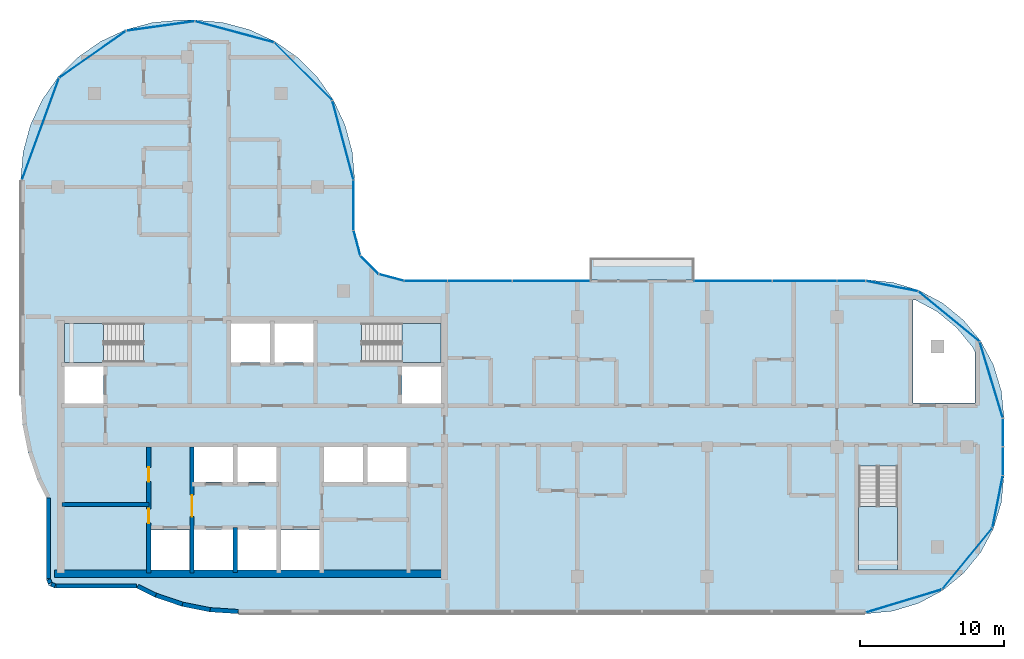
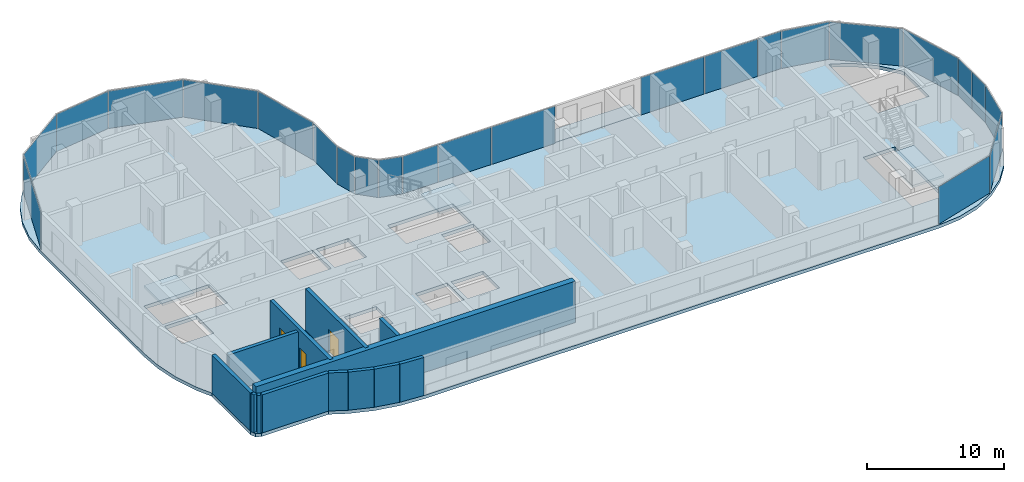
# One storey, part 8 of 18: 24 plates, 13 walls, 5 slabs, 3 doors, 3 openings, 11 elements without a shape of their own.
"""IFC4 building model written with IfcOpenShell, lengths in metres."""

import ifcopenshell
import ifcopenshell.guid

model = None  # the IFC model being written
_history = None  # IfcOwnerHistory: only IFC2X3 demands one
_inside = {}  # id of a spatial element -> (the spatial element, [elements in it])
_under = {}  # id of a project, library or spatial element -> (it, [spatial elements below it])
_declared = {}  # id of a project -> (the project, [libraries it declares])
_typed = {}  # id of a type object -> (the type object, [elements of that type])
_made_of = {}  # id of a material, layer set ... -> (it, [elements and type objects made of it])


def new_model(schema):
    """Start an empty IFC model of exactly this schema.

    Asked for "IFC4X3", IfcOpenShell would pick the latest addendum, in which some entities
    have other attributes; the version numbers below select the first issue.
    IFC2X3 requires an IfcOwnerHistory on every rooted entity: one is made here for all.
    """
    global model, _history
    if schema == "IFC4X3":
        model = ifcopenshell.file(schema_version=(4, 3, 0, 0))
    else:
        model = ifcopenshell.file(schema=schema)
    _inside.clear()
    _under.clear()
    _declared.clear()
    _typed.clear()
    _made_of.clear()
    _history = None
    if model.schema == "IFC2X3":
        org = make("IfcOrganization", Name="unknown")
        user = make(
            "IfcPersonAndOrganization",
            ThePerson=make("IfcPerson", FamilyName="unknown"),
            TheOrganization=org,
        )
        app = make(
            "IfcApplication",
            ApplicationDeveloper=org,
            Version="unknown",
            ApplicationFullName="unknown",
            ApplicationIdentifier="unknown",
        )
        _history = make(
            "IfcOwnerHistory",
            OwningUser=user,
            OwningApplication=app,
            ChangeAction="ADDED",
            CreationDate=0,
        )
    return model


def make(cls, **values):
    """One entity of the class cls with the attributes given. An attribute that is None is left unset."""
    return model.create_entity(
        cls, **{name: value for name, value in values.items() if value is not None}
    )


def rooted(cls, **values):
    """An entity with a GlobalId (a new one), such as an element, a storey or a relation."""
    return make(cls, GlobalId=ifcopenshell.guid.new(), OwnerHistory=_history, **values)


def si_unit(unit_type, name, prefix=None):
    """IfcSIUnit, for example si_unit("LENGTHUNIT", "METRE", prefix="MILLI")."""
    return make("IfcSIUnit", UnitType=unit_type, Prefix=prefix, Name=name)


def assignment(units):
    """IfcUnitAssignment: the units of a project."""
    return None if units is None else make("IfcUnitAssignment", Units=units)


def point(xyz):
    """IfcCartesianPoint."""
    return None if xyz is None else make("IfcCartesianPoint", Coordinates=xyz)


def direction(xyz):
    """IfcDirection."""
    return None if xyz is None else make("IfcDirection", DirectionRatios=xyz)


def frame(location, z_axis=None, x_axis=None):
    """IfcAxis2Placement3D, a coordinate frame: its origin and axes. An axis left out is left unset."""
    return make(
        "IfcAxis2Placement3D",
        Location=point(location),
        Axis=direction(z_axis),
        RefDirection=direction(x_axis),
    )


def frame_2d(location, x_axis=None):
    """IfcAxis2Placement2D, a coordinate frame in the plane: its origin and x axis."""
    return make(
        "IfcAxis2Placement2D", Location=point(location), RefDirection=direction(x_axis)
    )


def origin():
    """The frame at (0, 0, 0) with its axes left unset."""
    return frame((0.0, 0.0, 0.0))


def origin_2d():
    """The frame at (0, 0) in the plane with its x axis left unset."""
    return frame_2d((0.0, 0.0))


def place(relative_to, where):
    """IfcLocalPlacement: puts the frame where relative to a parent placement (None: the world)."""
    return make(
        "IfcLocalPlacement", PlacementRelTo=relative_to, RelativePlacement=where
    )


def context(
    kind, dimensions, precision=None, world=None, true_north=None, identifier=None
):
    """IfcGeometricRepresentationContext, for example the 3D "Model" context."""
    return make(
        "IfcGeometricRepresentationContext",
        ContextIdentifier=identifier,
        ContextType=kind,
        CoordinateSpaceDimension=dimensions,
        Precision=precision,
        WorldCoordinateSystem=world,
        TrueNorth=true_north,
    )


def subcontext(parent, identifier, kind, view, scale=None):
    """IfcGeometricRepresentationSubContext, for example "Body" below "Model"."""
    return make(
        "IfcGeometricRepresentationSubContext",
        ContextIdentifier=identifier,
        ContextType=kind,
        ParentContext=parent,
        TargetScale=scale,
        TargetView=view,
    )


def project(units=None, contexts=None):
    """IfcProject with its units and contexts."""
    return rooted(
        "IfcProject",
        Name="project",
        RepresentationContexts=contexts,
        UnitsInContext=assignment(units),
    )


def spatial(cls, under=None, at=None, **own):
    """A site, building, storey or space (cls), placed at a placement, below another one or the project."""
    s = rooted(cls, ObjectPlacement=at, **own)
    if under is not None:
        _under.setdefault(under.id(), (under, []))[1].append(s)
    return s


def polyline(points):
    """IfcPolyline through the points."""
    return make("IfcPolyline", Points=[point(p) for p in points])


def profile(cls, at=None, kind="AREA", **sizes):
    """A parametric profile (cls). Its sizes go by their IFC names, for example OverallWidth=200.0."""
    return make(cls, ProfileType=kind, Position=at, **sizes)


def rectangle(**sizes):
    """IfcRectangleProfileDef."""
    return profile("IfcRectangleProfileDef", **sizes)


def outline(outer, holes=None, kind="AREA"):
    """IfcArbitraryClosedProfileDef: a profile drawn as a closed curve; with holes, ...WithVoids."""
    if holes is None:
        return make("IfcArbitraryClosedProfileDef", ProfileType=kind, OuterCurve=outer)
    return make(
        "IfcArbitraryProfileDefWithVoids",
        ProfileType=kind,
        OuterCurve=outer,
        InnerCurves=holes,
    )


def extrude(swept, where, along, depth):
    """IfcExtrudedAreaSolid: the profile swept, set in the frame where, extruded along a direction by depth."""
    return make(
        "IfcExtrudedAreaSolid",
        SweptArea=swept,
        Position=where,
        ExtrudedDirection=direction(along),
        Depth=depth,
    )


def shape(context_of_items, identifier, shape_type, items):
    """IfcShapeRepresentation: the items that make up one representation, for example the "Body"."""
    return make(
        "IfcShapeRepresentation",
        ContextOfItems=context_of_items,
        RepresentationIdentifier=identifier,
        RepresentationType=shape_type,
        Items=items,
    )


def material(Name=None, Category=None):
    """IfcMaterial."""
    return make("IfcMaterial", Name=Name, Category=Category)


def layer(
    of_material, thickness, ventilated=None, Name=None, Category=None, Priority=None
):
    """IfcMaterialLayer: one layer of a wall or slab, of a material (None: an air gap)."""
    return make(
        "IfcMaterialLayer",
        Material=of_material,
        LayerThickness=thickness,
        IsVentilated=ventilated,
        Name=Name,
        Category=Category,
        Priority=Priority,
    )


def layer_set(layers, Name=None):
    """IfcMaterialLayerSet."""
    return make("IfcMaterialLayerSet", MaterialLayers=layers, LayerSetName=Name)


def made_of(thing, what):
    """Note that an element or type object is made of a material, layer set ...; save() writes the relation."""
    if what is not None:
        _made_of.setdefault(what.id(), (what, []))[1].append(thing)
    return thing


def type_object(cls, material=None, **own):
    """A type object (cls), such as IfcWallType, which elements share."""
    return made_of(rooted(cls, **own), material)


def element(
    cls,
    number,
    at=None,
    inside=None,
    cuts=None,
    type_object=None,
    material=None,
    context=None,
    identifier="Body",
    shape_type=None,
    held_by="IfcProductDefinitionShape",
    body=None,
    shapes=None,
    **own,
):
    """One element of the class cls, such as IfcWall. Its Tag is "e" and its number.

    at: its placement. inside: the storey or other place that contains it. cuts: it is an
    opening in that element (IfcRelVoidsElement). A single representation is given by context,
    identifier, shape_type and body (its items); several are given by shapes. held_by: the class
    of the entity that holds the representations. save() writes the other relations.
    """
    e = rooted(cls, Tag="e%d" % number, ObjectPlacement=at, **own)
    if body is not None:
        shapes = [shape(context, identifier, shape_type, body)]
    if shapes is not None:
        e.Representation = make(held_by, Representations=shapes)
    if inside is not None:
        _inside.setdefault(inside.id(), (inside, []))[1].append(e)
    if cuts is not None:
        rooted(
            "IfcRelVoidsElement", RelatingBuildingElement=cuts, RelatedOpeningElement=e
        )
    if type_object is not None:
        _typed.setdefault(type_object.id(), (type_object, []))[1].append(e)
    return made_of(e, material)


def fill(opening, filler):
    """IfcRelFillsElement: the door or window that sits in an opening."""
    return rooted(
        "IfcRelFillsElement",
        RelatingOpeningElement=opening,
        RelatedBuildingElement=filler,
    )


def aggregate(whole, parts):
    """IfcRelAggregates: a whole, such as a stair, and the parts it consists of."""
    return rooted("IfcRelAggregates", RelatingObject=whole, RelatedObjects=parts)


def save(model, path):
    """Write the relations noted so far, then the file.

    IfcRelAggregates (storeys below a building ...), IfcRelContainedInSpatialStructure (elements
    in a storey), IfcRelDefinesByType, IfcRelAssociatesMaterial and IfcRelDeclares: one each for
    every whole, place, type object, material and project.
    """
    for whole, parts in _under.values():
        aggregate(whole, parts)
    for where, things in _inside.values():
        rooted(
            "IfcRelContainedInSpatialStructure",
            RelatedElements=things,
            RelatingStructure=where,
        )
    for kind, things in _typed.values():
        rooted("IfcRelDefinesByType", RelatedObjects=things, RelatingType=kind)
    for what, things in _made_of.values():
        rooted("IfcRelAssociatesMaterial", RelatedObjects=things, RelatingMaterial=what)
    for by, libraries in _declared.values():
        rooted("IfcRelDeclares", RelatingContext=by, RelatedDefinitions=libraries)
    model.write(path)


model = new_model("IFC4")

# Units and contexts
model_context = context("Model", 3, precision=1e-05, world=origin(), true_north=direction((0.0, 1.0)))
body_context = subcontext(model_context, "Body", "Model", "MODEL_VIEW")
ifc_project = project(units=[si_unit("LENGTHUNIT", "METRE"), si_unit("AREAUNIT", "SQUARE_METRE"), si_unit("VOLUMEUNIT", "CUBIC_METRE"), si_unit("PLANEANGLEUNIT", "RADIAN"), si_unit("MASSUNIT", "GRAM", prefix="KILO")], contexts=[model_context])

# Site, building, storey
site_placement = place(None, origin())
site = spatial("IfcSite", under=ifc_project, at=site_placement, CompositionType="ELEMENT")
building_placement = place(site_placement, origin())
building = spatial("IfcBuilding", under=site, at=building_placement, Name="Ogive Portal Towers", CompositionType="ELEMENT")
storey_placement = place(building_placement, frame((0.0, 0.0, 236.5)))
storey = spatial("IfcBuildingStorey", under=building, at=storey_placement, Name="L59", CompositionType="ELEMENT", Elevation=236.5)

# Slab
ifc_material_1 = material(Name="Concrete C40/50", Category="concrete")
ifc_layer_1 = layer(ifc_material_1, 0.199951171875)
ifc_layer_set_1 = layer_set([ifc_layer_1], Name="BALCONY SLAB 200")
slab_type_1 = type_object("IfcSlabType", Name="BALCONY SLAB 200", PredefinedType="FLOOR", material=ifc_layer_set_1)
slab_1_placement = place(storey_placement, frame((0.0, 0.0, -0.199951171875)))
element("IfcSlab", 1, at=slab_1_placement, inside=storey, type_object=slab_type_1, Name="Balcony T2", PredefinedType="FLOOR", context=body_context, shape_type="SweptSolid", body=[
    extrude(outline(polyline([(68.39990234375, 42.074951171875), (75.60009765625, 42.074951171875), (75.60009765625, 43.574951171875), (68.39990234375, 43.574951171875), (68.39990234375, 42.074951171875)])), origin(), (0.0, 0.0, 1.0), 0.199951171875),
])

# Curtain wall, plates
ifc_material_2 = material(Name="Glass, clear low-iron insulated glazing", Category="glass")
curtain_wall_type = type_object("IfcCurtainWallType", Name="CW FRONT RIBBON 4500", PredefinedType="NOTDEFINED", material=ifc_material_2)
curtain_wall_1_placement = place(storey_placement, origin())
curtain_wall_1 = element("IfcCurtainWall", 2, at=curtain_wall_1_placement, inside=storey, type_object=curtain_wall_type, Name="A:L59:f12:cw0", PredefinedType="NOTDEFINED")
ifc_layer_2 = layer(ifc_material_2, 0.028076171875)
ifc_layer_set_2 = layer_set([ifc_layer_2], Name="CW PANEL IGU 28")
plate_type = type_object("IfcPlateType", Name="CW PANEL IGU 28", PredefinedType="CURTAIN_PANEL", material=ifc_layer_set_2)
plate_1_placement = place(storey_placement, frame((96.9951171875, 29.50390625, 0.0), z_axis=(0.0, 0.0, 1.0), x_axis=(0.0, 1.0, 0.0)))
plate_1 = element("IfcPlate", 3, at=plate_1_placement, type_object=plate_type, Name="panel", PredefinedType="CURTAIN_PANEL", context=body_context, shape_type="SweptSolid", body=[
    extrude(rectangle(XDim=1.93212890625, YDim=0.028076171875, at=origin_2d()), origin(), (0.0, 0.0, 1.0), 3.340087890625),
])
plate_2_placement = place(storey_placement, frame((96.9951171875, 31.494140625, 0.0), z_axis=(0.0, 0.0, 1.0), x_axis=(0.0, 1.0, 0.0)))
plate_2 = element("IfcPlate", 4, at=plate_2_placement, type_object=plate_type, Name="panel", PredefinedType="CURTAIN_PANEL", context=body_context, shape_type="SweptSolid", body=[
    extrude(rectangle(XDim=1.92822265625, YDim=0.028076171875, at=origin_2d()), origin(), (0.0, 0.0, 1.0), 3.340087890625),
])
aggregate(curtain_wall_1, [plate_1, plate_2])

curtain_wall_2_placement = place(storey_placement, origin())
curtain_wall_2 = element("IfcCurtainWall", 5, at=curtain_wall_2_placement, inside=storey, type_object=curtain_wall_type, Name="A:L59:f16:cw0", PredefinedType="NOTDEFINED")
plate_3_placement = place(storey_placement, frame((86.49609375, 41.9951171875, 0.0), z_axis=(0.0, 0.0, 1.0), x_axis=(-1.0, 0.0, 0.0)))
plate_3 = element("IfcPlate", 6, at=plate_3_placement, type_object=plate_type, Name="panel", PredefinedType="CURTAIN_PANEL", context=body_context, shape_type="SweptSolid", body=[
    extrude(rectangle(XDim=1.93212890625, YDim=0.028076171875, at=origin_2d()), origin(), (0.0, 0.0, 1.0), 3.340087890625),
])
plate_4_placement = place(storey_placement, frame((83.25, 41.9951171875, 0.0), z_axis=(0.0, 0.0, 1.0), x_axis=(-1.0, 0.0, 0.0)))
plate_4 = element("IfcPlate", 7, at=plate_4_placement, type_object=plate_type, Name="panel", PredefinedType="CURTAIN_PANEL", context=body_context, shape_type="SweptSolid", body=[
    extrude(rectangle(XDim=4.43994140625, YDim=0.028076171875, at=origin_2d()), origin(), (0.0, 0.0, 1.0), 3.340087890625),
])
plate_5_placement = place(storey_placement, frame((78.295654296875, 41.9951171875, 0.0), z_axis=(0.0, 0.0, 1.0), x_axis=(-1.0, 0.0, 0.0)))
plate_5 = element("IfcPlate", 8, at=plate_5_placement, type_object=plate_type, Name="panel", PredefinedType="CURTAIN_PANEL", context=body_context, shape_type="SweptSolid", body=[
    extrude(rectangle(XDim=5.348876953125, YDim=0.028076171875, at=origin_2d()), origin(), (0.0, 0.0, 1.0), 3.340087890625),
])
aggregate(curtain_wall_2, [plate_3, plate_4, plate_5])

curtain_wall_3_placement = place(storey_placement, origin())
curtain_wall_3 = element("IfcCurtainWall", 9, at=curtain_wall_3_placement, inside=storey, type_object=curtain_wall_type, Name="A:L59:f16:cw1", PredefinedType="NOTDEFINED")
plate_6_placement = place(storey_placement, frame((65.6953125, 41.9951171875, 0.0), z_axis=(0.0, 0.0, 1.0), x_axis=(-1.0, 0.0, 0.0)))
plate_6 = element("IfcPlate", 10, at=plate_6_placement, type_object=plate_type, Name="panel", PredefinedType="CURTAIN_PANEL", context=body_context, shape_type="SweptSolid", body=[
    extrude(rectangle(XDim=5.33056640625, YDim=0.028076171875, at=origin_2d()), origin(), (0.0, 0.0, 1.0), 3.340087890625),
])
plate_7_placement = place(storey_placement, frame((60.75, 41.9951171875, 0.0), z_axis=(0.0, 0.0, 1.0), x_axis=(-1.0, 0.0, 0.0)))
plate_7 = element("IfcPlate", 11, at=plate_7_placement, type_object=plate_type, Name="panel", PredefinedType="CURTAIN_PANEL", context=body_context, shape_type="SweptSolid", body=[
    extrude(rectangle(XDim=4.43994140625, YDim=0.028076171875, at=origin_2d()), origin(), (0.0, 0.0, 1.0), 3.340087890625),
])
plate_8_placement = place(storey_placement, frame((56.99462890625, 41.9951171875, 0.0), z_axis=(0.0, 0.0, 1.0), x_axis=(-1.0, 0.0, 0.0)))
plate_8 = element("IfcPlate", 12, at=plate_8_placement, type_object=plate_type, Name="panel", PredefinedType="CURTAIN_PANEL", context=body_context, shape_type="SweptSolid", body=[
    extrude(rectangle(XDim=2.950439453125, YDim=0.028076171875, at=origin_2d()), origin(), (0.0, 0.0, 1.0), 3.340087890625),
])
aggregate(curtain_wall_3, [plate_6, plate_7, plate_8])

# Curtain wall, plate
curtain_wall_4_placement = place(storey_placement, origin())
curtain_wall_4 = element("IfcCurtainWall", 13, at=curtain_wall_4_placement, inside=storey, type_object=curtain_wall_type, Name="A:L59:f20:cw0", PredefinedType="NOTDEFINED")
plate_9_placement = place(storey_placement, frame((51.9951171875, 47.239501953125, 0.0), z_axis=(0.0, 0.0, 1.0), x_axis=(0.0, 1.0, 0.0)))
plate_9 = element("IfcPlate", 14, at=plate_9_placement, type_object=plate_type, Name="panel", PredefinedType="CURTAIN_PANEL", context=body_context, shape_type="SweptSolid", body=[
    extrude(rectangle(XDim=3.43994140625, YDim=0.028076171875, at=origin_2d()), origin(), (0.0, 0.0, 1.0), 3.340087890625),
])
aggregate(curtain_wall_4, [plate_9])

# Curtain wall, plates
curtain_wall_5_placement = place(storey_placement, origin())
curtain_wall_5 = element("IfcCurtainWall", 15, at=curtain_wall_5_placement, inside=storey, type_object=curtain_wall_type, Name="A:L59:f09:cwa", PredefinedType="NOTDEFINED")
plate_10_placement = place(storey_placement, frame((90.130615234375, 19.806640625, 0.0), z_axis=(0.0, 0.0, 1.0), x_axis=(0.956940335732, 0.290284677254, 0.0)))
plate_10 = element("IfcPlate", 16, at=plate_10_placement, type_object=plate_type, Name="panel", PredefinedType="CURTAIN_PANEL", context=body_context, shape_type="SweptSolid", body=[
    extrude(rectangle(XDim=5.462890625, YDim=0.028076171875, at=origin_2d()), origin(), (0.0, 0.0, 1.0), 3.340087890625),
])
plate_11_placement = place(storey_placement, frame((94.5224609375, 22.73974609375, 0.0), z_axis=(0.0, 0.0, 1.0), x_axis=(0.634393284164, 0.773010453363, 0.0)))
plate_11 = element("IfcPlate", 17, at=plate_11_placement, type_object=plate_type, Name="panel", PredefinedType="CURTAIN_PANEL", context=body_context, shape_type="SweptSolid", body=[
    extrude(rectangle(XDim=5.45458984375, YDim=0.028076171875, at=origin_2d()), origin(), (0.0, 0.0, 1.0), 3.340087890625),
])
plate_12_placement = place(storey_placement, frame((96.63330078125, 26.689453125, 0.0), z_axis=(0.0, 0.0, 1.0), x_axis=(0.195090322016, 0.980785280403, 0.0)))
plate_12 = element("IfcPlate", 18, at=plate_12_placement, type_object=plate_type, Name="panel", PredefinedType="CURTAIN_PANEL", context=body_context, shape_type="SweptSolid", body=[
    extrude(rectangle(XDim=3.64794921875, YDim=0.028076171875, at=origin_2d()), origin(), (0.0, 0.0, 1.0), 3.340087890625),
])
aggregate(curtain_wall_5, [plate_10, plate_11, plate_12])

curtain_wall_6_placement = place(storey_placement, origin())
curtain_wall_6 = element("IfcCurtainWall", 19, at=curtain_wall_6_placement, inside=storey, type_object=curtain_wall_type, Name="A:L59:f13:cwa", PredefinedType="NOTDEFINED")
plate_13_placement = place(storey_placement, frame((96.193359375, 35.130615234375, 0.0), z_axis=(0.0, 0.0, 1.0), x_axis=(-0.290284677254, 0.956940335732, 0.0)))
plate_13 = element("IfcPlate", 20, at=plate_13_placement, type_object=plate_type, Name="panel", PredefinedType="CURTAIN_PANEL", context=body_context, shape_type="SweptSolid", body=[
    extrude(rectangle(XDim=5.462890625, YDim=0.028076171875, at=origin_2d()), origin(), (0.0, 0.0, 1.0), 3.340087890625),
])
plate_14_placement = place(storey_placement, frame((93.26025390625, 39.5224609375, 0.0), z_axis=(0.0, 0.0, 1.0), x_axis=(-0.773010453363, 0.634393284164, 0.0)))
plate_14 = element("IfcPlate", 21, at=plate_14_placement, type_object=plate_type, Name="panel", PredefinedType="CURTAIN_PANEL", context=body_context, shape_type="SweptSolid", body=[
    extrude(rectangle(XDim=5.45458984375, YDim=0.028076171875, at=origin_2d()), origin(), (0.0, 0.0, 1.0), 3.340087890625),
])
plate_15_placement = place(storey_placement, frame((89.310546875, 41.63330078125, 0.0), z_axis=(0.0, 0.0, 1.0), x_axis=(-0.980785280403, 0.195090322016, 0.0)))
plate_15 = element("IfcPlate", 22, at=plate_15_placement, type_object=plate_type, Name="panel", PredefinedType="CURTAIN_PANEL", context=body_context, shape_type="SweptSolid", body=[
    extrude(rectangle(XDim=3.64794921875, YDim=0.028076171875, at=origin_2d()), origin(), (0.0, 0.0, 1.0), 3.340087890625),
])
aggregate(curtain_wall_6, [plate_13, plate_14, plate_15])

curtain_wall_7_placement = place(storey_placement, origin())
curtain_wall_7 = element("IfcCurtainWall", 23, at=curtain_wall_7_placement, inside=storey, type_object=curtain_wall_type, Name="A:L59:f17:cwa", PredefinedType="NOTDEFINED")
plate_16_placement = place(storey_placement, frame((54.61767578125, 42.228515625, 0.0), z_axis=(0.0, 0.0, 1.0), x_axis=(-0.965925826289, 0.258819045103, 0.0)))
plate_16 = element("IfcPlate", 24, at=plate_16_placement, type_object=plate_type, Name="panel", PredefinedType="CURTAIN_PANEL", context=body_context, shape_type="SweptSolid", body=[
    extrude(rectangle(XDim=1.744873046875, YDim=0.028076171875, at=origin_2d()), origin(), (0.0, 0.0, 1.0), 3.340087890625),
])
plate_17_placement = place(storey_placement, frame((53.10400390625, 43.10400390625, 0.0), z_axis=(0.0, 0.0, 1.0), x_axis=(-0.707106781187, 0.707106781187, 0.0)))
plate_17 = element("IfcPlate", 25, at=plate_17_placement, type_object=plate_type, Name="panel", PredefinedType="CURTAIN_PANEL", context=body_context, shape_type="SweptSolid", body=[
    extrude(rectangle(XDim=1.755859375, YDim=0.028076171875, at=origin_2d()), origin(), (0.0, 0.0, 1.0), 3.340087890625),
])
plate_18_placement = place(storey_placement, frame((52.228515625, 44.61767578125, 0.0), z_axis=(0.0, 0.0, 1.0), x_axis=(-0.258819045103, 0.965925826289, 0.0)))
plate_18 = element("IfcPlate", 26, at=plate_18_placement, type_object=plate_type, Name="panel", PredefinedType="CURTAIN_PANEL", context=body_context, shape_type="SweptSolid", body=[
    extrude(rectangle(XDim=1.744873046875, YDim=0.028076171875, at=origin_2d()), origin(), (0.0, 0.0, 1.0), 3.340087890625),
])
aggregate(curtain_wall_7, [plate_16, plate_17, plate_18])

curtain_wall_8_placement = place(storey_placement, origin())
curtain_wall_8 = element("IfcCurtainWall", 27, at=curtain_wall_8_placement, inside=storey, type_object=curtain_wall_type, Name="A:L59:f21:cwa", PredefinedType="NOTDEFINED")
plate_19_placement = place(storey_placement, frame((51.25732421875, 51.74267578125, 0.0), z_axis=(0.0, 0.0, 1.0), x_axis=(-0.258819045103, 0.965925826289, 0.0)))
plate_19 = element("IfcPlate", 28, at=plate_19_placement, type_object=plate_type, Name="panel", PredefinedType="CURTAIN_PANEL", context=body_context, shape_type="SweptSolid", body=[
    extrude(rectangle(XDim=5.640869140625, YDim=0.028076171875, at=origin_2d()), origin(), (0.0, 0.0, 1.0), 3.340087890625),
])
plate_20_placement = place(storey_placement, frame((48.5078125, 56.5078125, 0.0), z_axis=(0.0, 0.0, 1.0), x_axis=(-0.707106781187, 0.707106781187, 0.0)))
plate_20 = element("IfcPlate", 29, at=plate_20_placement, type_object=plate_type, Name="panel", PredefinedType="CURTAIN_PANEL", context=body_context, shape_type="SweptSolid", body=[
    extrude(rectangle(XDim=5.6298828125, YDim=0.028076171875, at=origin_2d()), origin(), (0.0, 0.0, 1.0), 3.340087890625),
])
plate_21_placement = place(storey_placement, frame((43.74560546875, 59.256591796875, 0.0), z_axis=(0.0, 0.0, 1.0), x_axis=(-0.965925826289, 0.258819045103, 0.0)))
plate_21 = element("IfcPlate", 30, at=plate_21_placement, type_object=plate_type, Name="panel", PredefinedType="CURTAIN_PANEL", context=body_context, shape_type="SweptSolid", body=[
    extrude(rectangle(XDim=5.63525390625, YDim=0.028076171875, at=origin_2d()), origin(), (0.0, 0.0, 1.0), 3.340087890625),
])
plate_22_placement = place(storey_placement, frame((38.61865234375, 59.662109375, 0.0), z_axis=(0.0, 0.0, 1.0), x_axis=(-0.990409738761, -0.138161316467, 0.0)))
plate_22 = element("IfcPlate", 31, at=plate_22_placement, type_object=plate_type, Name="panel", PredefinedType="CURTAIN_PANEL", context=body_context, shape_type="SweptSolid", body=[
    extrude(rectangle(XDim=4.73876953125, YDim=0.028076171875, at=origin_2d()), origin(), (0.0, 0.0, 1.0), 3.340087890625),
])
plate_23_placement = place(storey_placement, frame((33.912353515625, 57.69921875, 0.0), z_axis=(0.0, 0.0, 1.0), x_axis=(-0.819152044289, -0.573576436351, 0.0)))
plate_23 = element("IfcPlate", 32, at=plate_23_placement, type_object=plate_type, Name="panel", PredefinedType="CURTAIN_PANEL", context=body_context, shape_type="SweptSolid", body=[
    extrude(rectangle(XDim=5.62841796875, YDim=0.028076171875, at=origin_2d()), origin(), (0.0, 0.0, 1.0), 3.340087890625),
])
plate_24_placement = place(storey_placement, frame((30.293701171875, 52.52685546875, 0.0), z_axis=(0.0, 0.0, 1.0), x_axis=(-0.342020143326, -0.939692620786, 0.0)))
plate_24 = element("IfcPlate", 33, at=plate_24_placement, type_object=plate_type, Name="panel", PredefinedType="CURTAIN_PANEL", context=body_context, shape_type="SweptSolid", body=[
    extrude(rectangle(XDim=7.476318359375, YDim=0.028076171875, at=origin_2d()), origin(), (0.0, 0.0, 1.0), 3.340087890625),
])
aggregate(curtain_wall_8, [plate_19, plate_20, plate_21, plate_22, plate_23, plate_24])

# Stair, slab
stair_type = type_object("IfcStairType", Name="INT-STAIR", PredefinedType="HALF_TURN_STAIR", material=ifc_material_1)
stair_1_placement = place(storey_placement, origin())
stair_1 = element("IfcStair", 34, at=stair_1_placement, inside=storey, type_object=stair_type, Name="L59 Exit Stair ST-A1", PredefinedType="HALF_TURN_STAIR")
ifc_layer_3 = layer(ifc_material_1, 0.199951171875)
ifc_layer_set_3 = layer_set([ifc_layer_3], Name="INT-LANDING")
slab_type_2 = type_object("IfcSlabType", Name="INT-LANDING", PredefinedType="LANDING", material=ifc_layer_set_3)
slab_2_placement = place(storey_placement, frame((0.0, 0.0, 1.64990234375)))
slab_2 = element("IfcSlab", 35, at=slab_2_placement, type_object=slab_type_2, Name="ST-A1 landing 1", PredefinedType="LANDING", context=body_context, shape_type="SweptSolid", body=[
    extrude(outline(polyline([(34.64990234375, 39.050048828125), (31.949951171875, 39.050048828125), (31.949951171875, 36.35009765625), (34.64990234375, 36.35009765625), (34.64990234375, 39.050048828125)])), origin(), (0.0, 0.0, 1.0), 0.2001953125),
])
aggregate(stair_1, [slab_2])

stair_2_placement = place(storey_placement, origin())
stair_2 = element("IfcStair", 36, at=stair_2_placement, inside=storey, type_object=stair_type, Name="L59 Exit Stair ST-A2", PredefinedType="HALF_TURN_STAIR")
slab_3_placement = place(storey_placement, frame((0.0, 0.0, 1.64990234375)))
slab_3 = element("IfcSlab", 37, at=slab_3_placement, type_object=slab_type_2, Name="ST-A2 landing 1", PredefinedType="LANDING", context=body_context, shape_type="SweptSolid", body=[
    extrude(outline(polyline([(55.35009765625, 36.35009765625), (58.050048828125, 36.35009765625), (58.050048828125, 39.050048828125), (55.35009765625, 39.050048828125), (55.35009765625, 36.35009765625)])), origin(), (0.0, 0.0, 1.0), 0.2001953125),
])
aggregate(stair_2, [slab_3])

stair_3_placement = place(storey_placement, origin())
stair_3 = element("IfcStair", 38, at=stair_3_placement, inside=storey, type_object=stair_type, Name="L59 Exit Stair ST-A4", PredefinedType="HALF_TURN_STAIR")
slab_4_placement = place(storey_placement, frame((0.0, 0.0, 1.64990234375)))
slab_4 = element("IfcSlab", 39, at=slab_4_placement, type_object=slab_type_2, Name="ST-A4 landing 1", PredefinedType="LANDING", context=body_context, shape_type="SweptSolid", body=[
    extrude(outline(polyline([(87.0, 26.3701171875), (87.0, 21.949951171875), (89.699951171875, 21.949951171875), (89.699951171875, 26.3701171875), (87.0, 26.3701171875)])), origin(), (0.0, 0.0, 1.0), 0.2001953125),
])
aggregate(stair_3, [slab_4])

# Slab
ifc_material_3 = material(Name="Concrete C45/55", Category="concrete")
ifc_layer_4 = layer(ifc_material_3, 0.300048828125)
ifc_layer_set_4 = layer_set([ifc_layer_4], Name="PT FLAT PLATE 300")
slab_type_3 = type_object("IfcSlabType", Name="PT FLAT PLATE 300", PredefinedType="FLOOR", material=ifc_layer_set_4)
slab_5_placement = place(storey_placement, frame((0.0, 0.0, -0.300048828125)))
element("IfcSlab", 40, at=slab_5_placement, inside=storey, type_object=slab_type_3, Name="Floor slab L59", PredefinedType="FLOOR", context=body_context, shape_type="SweptSolid", body=[
    extrude(outline(polyline([(29.438720703125, 30.098388671875), (30.072509765625, 28.23095703125), (30.699951171875, 26.95849609375), (30.699951171875, 21.300048828125), (30.875732421875, 20.875732421875), (31.300048828125, 20.699951171875), (36.95849609375, 20.699951171875), (38.23095703125, 20.072509765625), (40.098388671875, 19.438720703125), (42.0322265625, 19.053955078125), (44.0, 18.925048828125), (87.5, 18.925048828125), (89.367919921875, 19.10888671875), (91.164306640625, 19.65380859375), (92.819580078125, 20.538818359375), (94.2705078125, 21.7294921875), (95.461181640625, 23.180419921875), (96.34619140625, 24.835693359375), (96.89111328125, 26.632080078125), (97.074951171875, 28.5), (97.074951171875, 32.5), (96.89111328125, 34.367919921875), (96.34619140625, 36.164306640625), (95.461181640625, 37.819580078125), (94.2705078125, 39.2705078125), (92.819580078125, 40.461181640625), (91.164306640625, 41.34619140625), (89.367919921875, 41.89111328125), (87.5, 42.074951171875), (55.5, 42.074951171875), (53.78759765625, 42.533935546875), (52.533935546875, 43.78759765625), (52.074951171875, 45.5), (52.074951171875, 49.0), (51.90673828125, 50.923095703125), (51.406982421875, 52.787841796875), (50.59130859375, 54.53759765625), (49.48388671875, 56.118896484375), (48.118896484375, 57.48388671875), (46.53759765625, 58.59130859375), (44.787841796875, 59.406982421875), (42.923095703125, 59.90673828125), (41.0, 60.074951171875), (40.0, 60.074951171875), (38.076904296875, 59.90673828125), (36.212158203125, 59.406982421875), (34.46240234375, 58.59130859375), (32.881103515625, 57.48388671875), (31.51611328125, 56.118896484375), (30.40869140625, 54.53759765625), (29.593017578125, 52.787841796875), (29.09326171875, 50.923095703125), (28.925048828125, 49.0), (28.925048828125, 34.0), (29.053955078125, 32.0322265625), (29.438720703125, 30.098388671875)]), holes=[polyline([(40.6298828125, 21.969970703125), (37.969970703125, 21.969970703125), (37.969970703125, 24.72998046875), (40.6298828125, 24.72998046875), (40.6298828125, 21.969970703125)]), polyline([(43.64990234375, 24.75), (43.64990234375, 21.949951171875), (40.949951171875, 21.949951171875), (40.949951171875, 24.75), (43.64990234375, 24.75)]), polyline([(46.64990234375, 24.75), (46.64990234375, 21.949951171875), (43.949951171875, 21.949951171875), (43.949951171875, 24.75), (46.64990234375, 24.75)]), polyline([(43.64990234375, 30.5), (43.64990234375, 28.050048828125), (40.949951171875, 28.050048828125), (40.949951171875, 30.5), (43.64990234375, 30.5)]), polyline([(46.64990234375, 30.5), (46.64990234375, 28.050048828125), (43.949951171875, 28.050048828125), (43.949951171875, 30.5), (46.64990234375, 30.5)]), polyline([(34.64990234375, 36.050048828125), (34.64990234375, 33.5), (31.949951171875, 33.5), (31.949951171875, 36.050048828125), (34.64990234375, 36.050048828125)]), polyline([(31.951904296875, 39.048095703125), (37.447998046875, 39.048095703125), (37.447998046875, 36.35205078125), (31.951904296875, 36.35205078125), (31.951904296875, 39.048095703125)]), polyline([(46.199951171875, 39.050048828125), (46.199951171875, 36.35009765625), (43.5, 36.35009765625), (43.5, 39.050048828125), (46.199951171875, 39.050048828125)]), polyline([(49.6298828125, 21.969970703125), (46.969970703125, 21.969970703125), (46.969970703125, 24.72998046875), (49.6298828125, 24.72998046875), (49.6298828125, 21.969970703125)]), polyline([(87.001953125, 21.951904296875), (87.001953125, 29.16796875), (89.697998046875, 29.16796875), (89.697998046875, 21.951904296875), (87.001953125, 21.951904296875)]), polyline([(52.64990234375, 30.5), (52.64990234375, 28.050048828125), (49.949951171875, 28.050048828125), (49.949951171875, 30.5), (52.64990234375, 30.5)]), polyline([(55.64990234375, 30.5), (55.64990234375, 28.050048828125), (52.949951171875, 28.050048828125), (52.949951171875, 30.5), (55.64990234375, 30.5)]), polyline([(58.050048828125, 36.050048828125), (58.050048828125, 33.5), (55.35009765625, 33.5), (55.35009765625, 36.050048828125), (58.050048828125, 36.050048828125)]), polyline([(93.773193359375, 38.773193359375), (94.87646484375, 37.4287109375), (95.080078125, 37.048095703125), (95.080078125, 33.52001953125), (90.77001953125, 33.52001953125), (90.77001953125, 40.679931640625), (90.925537109375, 40.679931640625), (92.4287109375, 39.87646484375), (93.773193359375, 38.773193359375)]), polyline([(49.199951171875, 39.050048828125), (49.199951171875, 36.35009765625), (46.5, 36.35009765625), (46.5, 39.050048828125), (49.199951171875, 39.050048828125)]), polyline([(58.048095703125, 36.35205078125), (52.552001953125, 36.35205078125), (52.552001953125, 39.048095703125), (58.048095703125, 39.048095703125), (58.048095703125, 36.35205078125)])]), origin(), (0.0, 0.0, 1.0), 0.300048828125),
])

# Wall, openings, doors
ifc_material_4 = material(Name="Concrete C60/75", Category="concrete")
ifc_layer_5 = layer(ifc_material_4, 0.300048828125)
ifc_layer_set_5 = layer_set([ifc_layer_5], Name="CORE WALL 300 C60")
wall_type_1 = type_object("IfcWallType", Name="CORE WALL 300 C60", PredefinedType="SHEAR", material=ifc_layer_set_5)
wall_1_placement = place(storey_placement, frame((37.800048828125, 21.75, 0.0), z_axis=(0.0, 0.0, 1.0), x_axis=(0.0, 1.0, 0.0)))
wall_1 = element("IfcWall", 41, at=wall_1_placement, inside=storey, type_object=wall_type_1, Name="Core wall X1 L59", PredefinedType="SHEAR", context=body_context, shape_type="SweptSolid", body=[
    extrude(rectangle(XDim=8.75, YDim=0.300048828125, at=frame_2d((4.375, 0.0))), origin(), (0.0, 0.0, 1.0), 3.699951171875),
])
opening_1_placement = place(wall_1_placement, frame((6.324951171875, 0.0, 0.0)))
opening_1 = element("IfcOpeningElement", 42, at=opening_1_placement, cuts=wall_1, Name="Opening D26-021", PredefinedType="OPENING", context=body_context, shape_type="SweptSolid", body=[
    extrude(rectangle(XDim=1.0, YDim=2.10009765625, at=frame_2d((0.5, 1.050048828125))), frame((0.0, 0.16015625, 0.0), z_axis=(0.0, -1.0, 0.0), x_axis=(1.0, 0.0, 0.0)), (0.0, 0.0, 1.0), 0.320068359375),
])
opening_2_placement = place(wall_1_placement, frame((3.449951171875, 0.0, 0.0)))
opening_2 = element("IfcOpeningElement", 43, at=opening_2_placement, cuts=wall_1, Name="Opening D26-022", PredefinedType="OPENING", context=body_context, shape_type="SweptSolid", body=[
    extrude(rectangle(XDim=1.0, YDim=2.10009765625, at=frame_2d((0.5, 1.050048828125))), frame((0.0, 0.16015625, 0.0), z_axis=(0.0, -1.0, 0.0), x_axis=(1.0, 0.0, 0.0)), (0.0, 0.0, 1.0), 0.320068359375),
])
ifc_material_5 = material(Name="Steel fire door", Category="steel")
door_type_1 = type_object("IfcDoorType", Name="DT-SWING-1000x2100-FD90S", OperationType="SINGLE_SWING_LEFT", PredefinedType="DOOR", material=ifc_material_5)
door_1_placement = place(opening_1_placement, origin())
door_1 = element("IfcDoor", 44, at=door_1_placement, inside=storey, type_object=door_type_1, Name="Door D26-021", OperationType="SINGLE_SWING_LEFT", OverallHeight=2.10009765625, OverallWidth=1.0, PredefinedType="DOOR", context=body_context, shape_type="SweptSolid", body=[
    extrude(rectangle(XDim=1.0, YDim=2.10009765625, at=frame_2d((0.5, 1.050048828125))), frame((0.0, 0.02490234375, 0.0), z_axis=(0.0, -1.0, 0.0), x_axis=(1.0, 0.0, 0.0)), (0.0, 0.0, 1.0), 0.050048828125),
])
fill(opening_1, door_1)
door_2_placement = place(opening_2_placement, origin())
door_2 = element("IfcDoor", 45, at=door_2_placement, inside=storey, type_object=door_type_1, Name="Door D26-022", OperationType="SINGLE_SWING_RIGHT", OverallHeight=2.10009765625, OverallWidth=1.0, PredefinedType="DOOR", context=body_context, shape_type="SweptSolid", body=[
    extrude(rectangle(XDim=1.0, YDim=2.10009765625, at=frame_2d((0.5, 1.050048828125))), frame((0.0, 0.02490234375, 0.0), z_axis=(0.0, -1.0, 0.0), x_axis=(1.0, 0.0, 0.0)), (0.0, 0.0, 1.0), 0.050048828125),
])
fill(opening_2, door_2)

# Wall, opening, door
wall_2_placement = place(storey_placement, frame((40.800048828125, 21.75, 0.0), z_axis=(0.0, 0.0, 1.0), x_axis=(0.0, 1.0, 0.0)))
wall_2 = element("IfcWall", 46, at=wall_2_placement, inside=storey, type_object=wall_type_1, Name="Core wall X2 L59", PredefinedType="SHEAR", context=body_context, shape_type="SweptSolid", body=[
    extrude(rectangle(XDim=8.75, YDim=0.300048828125, at=frame_2d((4.375, 0.0))), origin(), (0.0, 0.0, 1.0), 3.699951171875),
])
opening_3_placement = place(wall_2_placement, frame((3.89990234375, 0.0, 0.0)))
opening_3 = element("IfcOpeningElement", 47, at=opening_3_placement, cuts=wall_2, Name="Opening D26-001", PredefinedType="OPENING", context=body_context, shape_type="SweptSolid", body=[
    extrude(rectangle(XDim=1.5, YDim=2.10009765625, at=frame_2d((0.75, 1.050048828125))), frame((0.0, 0.16015625, 0.0), z_axis=(0.0, -1.0, 0.0), x_axis=(1.0, 0.0, 0.0)), (0.0, 0.0, 1.0), 0.320068359375),
])
door_type_2 = type_object("IfcDoorType", Name="DT-SWING-1500x2100-FD90S", OperationType="SINGLE_SWING_LEFT", PredefinedType="DOOR", material=ifc_material_5)
door_3_placement = place(opening_3_placement, origin())
door_3 = element("IfcDoor", 48, at=door_3_placement, inside=storey, type_object=door_type_2, Name="Door D26-001", OperationType="SINGLE_SWING_RIGHT", OverallHeight=2.10009765625, OverallWidth=1.5, PredefinedType="DOOR", context=body_context, shape_type="SweptSolid", body=[
    extrude(rectangle(XDim=1.5, YDim=2.10009765625, at=frame_2d((0.75, 1.050048828125))), frame((0.0, 0.02490234375, 0.0), z_axis=(0.0, -1.0, 0.0), x_axis=(1.0, 0.0, 0.0)), (0.0, 0.0, 1.0), 0.050048828125),
])
fill(opening_3, door_3)

# Walls
ifc_layer_6 = layer(ifc_material_4, 0.5)
ifc_layer_set_6 = layer_set([ifc_layer_6], Name="CORE WALL 500 C60")
wall_type_2 = type_object("IfcWallType", Name="CORE WALL 500 C60", PredefinedType="SHEAR", material=ifc_layer_set_6)
wall_3_placement = place(storey_placement, frame((31.25, 21.699951171875, 0.0), z_axis=(0.0, 0.0, 1.0), x_axis=(1.0, 0.0, 0.0)))
element("IfcWall", 49, at=wall_3_placement, inside=storey, type_object=wall_type_2, Name="Core wall S L59", PredefinedType="SHEAR", context=body_context, shape_type="SweptSolid", body=[
    extrude(rectangle(XDim=27.0, YDim=0.5, at=frame_2d((13.5, 0.0))), origin(), (0.0, 0.0, 1.0), 3.699951171875),
])
ifc_material_6 = material(Name="Limestone cladding on lightweight block wall", Category="masonry")
ifc_layer_7 = layer(ifc_material_6, 0.300048828125)
ifc_layer_set_7 = layer_set([ifc_layer_7], Name="EXTERNAL WALL 300 STONE")
wall_type_3 = type_object("IfcWallType", Name="EXTERNAL WALL 300 STONE", PredefinedType="SOLIDWALL", material=ifc_layer_set_7)
wall_4_placement = place(storey_placement, frame((30.85009765625, 26.958740234375, 0.0), z_axis=(0.0, 0.0, 1.0), x_axis=(0.0, -1.0, 0.0)))
element("IfcWall", 50, at=wall_4_placement, inside=storey, type_object=wall_type_3, Name="A:L59:f00:r0:wall", PredefinedType="SOLIDWALL", context=body_context, shape_type="SweptSolid", body=[
    extrude(rectangle(XDim=5.59912109375, YDim=0.300048828125, at=frame_2d((2.799560546875, 0.0))), origin(), (0.0, 0.0, 1.0), 3.39990234375),
])
for number, where, z_axis, x_axis, name in (
    (51, (30.861328125, 21.30224609375, 0.0), (0.0, 0.0, 1.0), (0.38297812142, -0.923757413239, 0.0), "A:L59:f01:r0:wall"),
    (52, (31.0478515625, 20.966796875, 0.0), (0.0, 0.0, 1.0), (0.923757413239, -0.38297812142, 0.0), "A:L59:f02:r0:wall"),
):
    element("IfcWall", number, at=place(storey_placement, frame(where, z_axis=z_axis, x_axis=x_axis)), inside=storey, type_object=wall_type_3, Name=name, PredefinedType="SOLIDWALL", context=body_context, shape_type="SweptSolid", body=[
        extrude(rectangle(XDim=0.275390625, YDim=0.300048828125, at=frame_2d((0.1376953125, 0.0))), origin(), (0.0, 0.0, 1.0), 3.39990234375),
    ])
wall_5_placement = place(storey_placement, frame((31.359619140625, 20.85009765625, 0.0), z_axis=(0.0, 0.0, 1.0), x_axis=(1.0, 0.0, 0.0)))
element("IfcWall", 53, at=wall_5_placement, inside=storey, type_object=wall_type_3, Name="A:L59:f03:r0:wall", PredefinedType="SOLIDWALL", context=body_context, shape_type="SweptSolid", body=[
    extrude(rectangle(XDim=5.59912109375, YDim=0.300048828125, at=frame_2d((2.799560546875, 0.0))), origin(), (0.0, 0.0, 1.0), 3.39990234375),
])
wall_6_placement = place(storey_placement, frame((37.02490234375, 20.83447265625, 0.0), z_axis=(0.0, 0.0, 1.0), x_axis=(0.896925860522, -0.442180959254, 0.0)))
element("IfcWall", 54, at=wall_6_placement, inside=storey, type_object=wall_type_3, Name="A:L59:f04:r0:wall", PredefinedType="SOLIDWALL", context=body_context, shape_type="SweptSolid", body=[
    extrude(rectangle(XDim=1.399169921875, YDim=0.300048828125, at=frame_2d((0.69970703125, 0.0))), origin(), (0.0, 0.0, 1.0), 3.39990234375),
])
wall_7_placement = place(storey_placement, frame((38.2978515625, 20.208251953125, 0.0), z_axis=(0.0, 0.0, 1.0), x_axis=(0.946912791905, -0.321490535672, 0.0)))
element("IfcWall", 55, at=wall_7_placement, inside=storey, type_object=wall_type_3, Name="A:L59:f05:r0:wall", PredefinedType="SOLIDWALL", context=body_context, shape_type="SweptSolid", body=[
    extrude(rectangle(XDim=1.9326171875, YDim=0.300048828125, at=frame_2d((0.96630859375, 0.0))), origin(), (0.0, 0.0, 1.0), 3.39990234375),
])
wall_8_placement = place(storey_placement, frame((40.14697265625, 19.58203125, 0.0), z_axis=(0.0, 0.0, 1.0), x_axis=(0.980764889473, -0.195192806162, 0.0)))
element("IfcWall", 56, at=wall_8_placement, inside=storey, type_object=wall_type_3, Name="A:L59:f06:r0:wall", PredefinedType="SOLIDWALL", context=body_context, shape_type="SweptSolid", body=[
    extrude(rectangle(XDim=1.932373046875, YDim=0.300048828125, at=frame_2d((0.96630859375, 0.0))), origin(), (0.0, 0.0, 1.0), 3.39990234375),
])
wall_9_placement = place(storey_placement, frame((42.061767578125, 19.202392578125, 0.0), z_axis=(0.0, 0.0, 1.0), x_axis=(0.997861789646, -0.065359381612, 0.0)))
element("IfcWall", 57, at=wall_9_placement, inside=storey, type_object=wall_type_3, Name="A:L59:f07:r0:wall", PredefinedType="SOLIDWALL", context=body_context, shape_type="SweptSolid", body=[
    extrude(rectangle(XDim=1.9423828125, YDim=0.300048828125, at=frame_2d((0.97119140625, 0.0))), origin(), (0.0, 0.0, 1.0), 3.39990234375),
])
ifc_material_7 = material(Name="Gypsum board partition on steel studs", Category="steel")
ifc_layer_8 = layer(ifc_material_7, 0.300048828125)
ifc_layer_set_8 = layer_set([ifc_layer_8], Name="WT-PART-300")
wall_type_4 = type_object("IfcWallType", Name="WT-PART-300", PredefinedType="PARTITIONING", material=ifc_layer_set_8)
wall_10_placement = place(storey_placement, frame((31.800048828125, 26.5, 0.0), z_axis=(0.0, 0.0, 1.0), x_axis=(1.0, 0.0, 0.0)))
element("IfcWall", 58, at=wall_10_placement, inside=storey, type_object=wall_type_4, Name="Wall pw:003:L59", PredefinedType="PARTITIONING", context=body_context, shape_type="SweptSolid", body=[
    extrude(rectangle(XDim=6.0, YDim=0.300048828125, at=frame_2d((3.0, 0.0))), origin(), (0.0, 0.0, 1.0), 3.39990234375),
])
ifc_layer_9 = layer(ifc_material_1, 0.300048828125)
ifc_layer_set_9 = layer_set([ifc_layer_9], Name="WT-SHAFT-300")
wall_type_5 = type_object("IfcWallType", Name="WT-SHAFT-300", PredefinedType="SOLIDWALL", material=ifc_layer_set_9)
wall_11_placement = place(storey_placement, frame((43.800048828125, 21.800048828125, 0.0), z_axis=(0.0, 0.0, 1.0), x_axis=(0.0, 1.0, 0.0)))
element("IfcWall", 59, at=wall_11_placement, inside=storey, type_object=wall_type_5, Name="Wall pw:008:L59", PredefinedType="SOLIDWALL", context=body_context, shape_type="SweptSolid", body=[
    extrude(rectangle(XDim=3.099853515625, YDim=0.300048828125, at=frame_2d((1.5498046875, 0.0))), origin(), (0.0, 0.0, 1.0), 3.39990234375),
])

save(model, "model.ifc")
